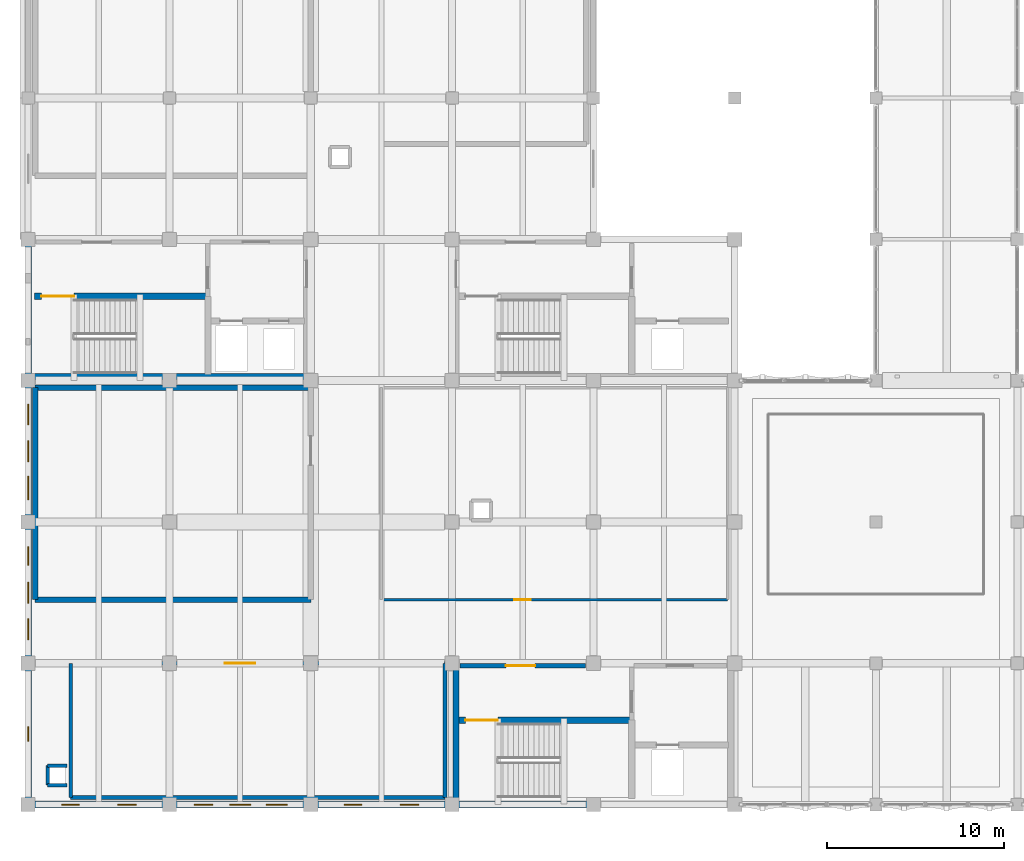
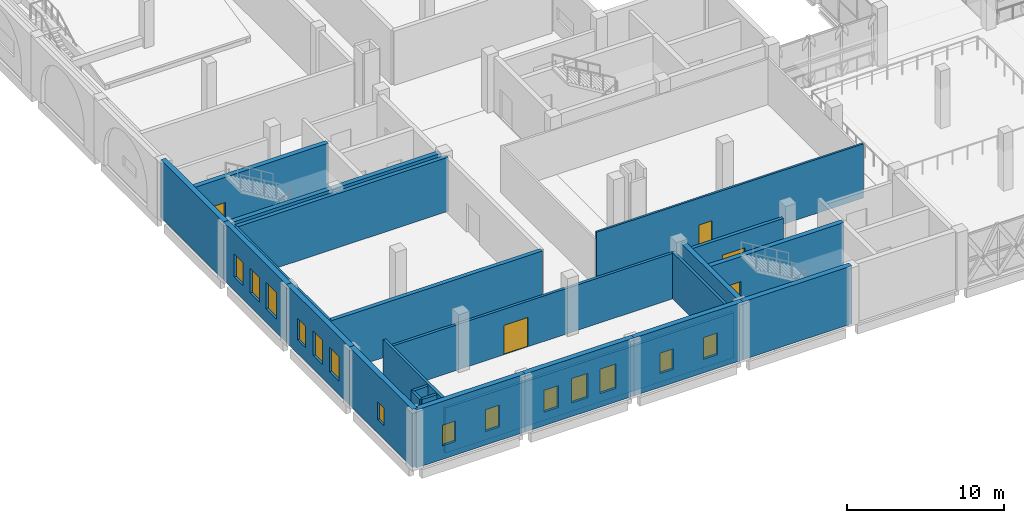
# One storey, part 25 of 45: 24 walls, 14 windows, 5 doors, 19 openings.
"""IFC4 building model written with IfcOpenShell, lengths in metres."""

from ifc_helpers import new_model, si_unit, direction, frame, frame_2d, origin, place, context, subcontext, project, spatial, rectangle, extrude, material, layer, layer_set, type_object, element, fill, save


model = new_model("IFC4")

# Units and contexts
model_context = context("Model", 3, precision=1e-05, world=origin(), true_north=direction((0.0, 1.0)))
body_context = subcontext(model_context, "Body", "Model", "MODEL_VIEW")
ifc_project = project(units=[si_unit("LENGTHUNIT", "METRE"), si_unit("AREAUNIT", "SQUARE_METRE"), si_unit("VOLUMEUNIT", "CUBIC_METRE"), si_unit("PLANEANGLEUNIT", "RADIAN"), si_unit("MASSUNIT", "GRAM", prefix="KILO")], contexts=[model_context])

# Site, building, storey
site_placement = place(None, origin())
site = spatial("IfcSite", under=ifc_project, at=site_placement, CompositionType="ELEMENT")
building_placement = place(site_placement, origin())
building = spatial("IfcBuilding", under=site, at=building_placement, Name="Qorikala Patio Media Centre", CompositionType="ELEMENT")
storey_placement = place(building_placement, frame((0.0, 0.0, 9.89990234375)))
storey = spatial("IfcBuildingStorey", under=building, at=storey_placement, Name="L02", CompositionType="ELEMENT", Elevation=9.89990234375)

# Walls
ifc_material_1 = material(Name="Concrete C35/45", Category="concrete")
ifc_layer_1 = layer(ifc_material_1, 0.300048828125)
ifc_layer_set_1 = layer_set([ifc_layer_1], Name="Concrete C35/45")
wall_type_1 = type_object("IfcWallType", Name="WL-AC-300", PredefinedType="SHEAR", material=ifc_layer_set_1)
for number, where, z_axis, x_axis, name in (
    (1, (3.39990234375, 14.60009765625, 0.0), (0.0, 0.0, 1.0), (1.0, 0.0, 0.0), "L02 Interior Wall WINT-L02-REST2-S"),
    (2, (3.39990234375, 26.60009765625, 0.0), (0.0, 0.0, 1.0), (1.0, 0.0, 0.0), "L02 Interior Wall WINT-L02-REST2-N"),
):
    element("IfcWall", number, at=place(storey_placement, frame(where, z_axis=z_axis, x_axis=x_axis)), inside=storey, type_object=wall_type_1, Name=name, PredefinedType="SHEAR", context=body_context, shape_type="SweptSolid", body=[
        extrude(rectangle(XDim=15.60009765625, YDim=0.300048828125, at=frame_2d((7.800048828125, 0.0))), origin(), (0.0, 0.0, 1.0), 4.2001953125),
    ])
wall_1_placement = place(storey_placement, frame((3.39990234375, 14.60009765625, 0.0), z_axis=(0.0, 0.0, 1.0), x_axis=(0.0, 1.0, 0.0)))
element("IfcWall", 3, at=wall_1_placement, inside=storey, type_object=wall_type_1, Name="L02 Interior Wall WINT-L02-REST2-W", PredefinedType="SHEAR", context=body_context, shape_type="SweptSolid", body=[
    extrude(rectangle(XDim=12.0, YDim=0.300048828125, at=frame_2d((6.0, 0.0))), origin(), (0.0, 0.0, 1.0), 4.2001953125),
])
ifc_layer_2 = layer(ifc_material_1, 0.35009765625)
ifc_layer_set_2 = layer_set([ifc_layer_2], Name="Concrete C35/45")
wall_type_2 = type_object("IfcWallType", Name="WL-CORE-350", PredefinedType="SHEAR", material=ifc_layer_set_2)
wall_2_placement = place(storey_placement, frame((27.22509765625, 3.199951171875, 0.0), z_axis=(0.0, 0.0, 1.0), x_axis=(0.0, 1.0, 0.0)))
element("IfcWall", 4, at=wall_2_placement, inside=storey, type_object=wall_type_2, Name="L02 Interior Wall CW-L02-C1-SW", PredefinedType="SHEAR", context=body_context, shape_type="SweptSolid", body=[
    extrude(rectangle(XDim=7.60009765625, YDim=0.35009765625, at=frame_2d((3.800048828125, 0.0))), origin(), (0.0, 0.0, 1.0), 4.2001953125),
])

# Wall, opening, door
wall_3_placement = place(storey_placement, frame((27.35009765625, 7.77490234375, 0.0), z_axis=(0.0, 0.0, 1.0), x_axis=(1.0, 0.0, 0.0)))
wall_3 = element("IfcWall", 5, at=wall_3_placement, inside=storey, type_object=wall_type_2, Name="L02 Interior Wall CW-L02-C1-SN", PredefinedType="SHEAR", context=body_context, shape_type="SweptSolid", body=[
    extrude(rectangle(XDim=9.824951171875, YDim=0.35009765625, at=frame_2d((4.91259765625, 0.0))), origin(), (0.0, 0.0, 1.0), 4.2001953125),
])
opening_1_placement = place(wall_3_placement, frame((0.39990234375, 0.0, 0.0)))
opening_1 = element("IfcOpeningElement", 6, at=opening_1_placement, cuts=wall_3, Name="Opening D035", PredefinedType="OPENING", context=body_context, shape_type="SweptSolid", body=[
    extrude(rectangle(XDim=1.85009765625, YDim=2.25, at=frame_2d((0.925048828125, 1.125))), frame((0.0, 0.18505859375, 0.0), z_axis=(0.0, -1.0, 0.0), x_axis=(1.0, 0.0, 0.0)), (0.0, 0.0, 1.0), 0.3701171875),
])
ifc_material_2 = material(Name="Powder-Coated Acoustic Fire Steel", Category="steel")
door_type_1 = type_object("IfcDoorType", Name="DR-FD60-185X225", OperationType="DOUBLE_DOOR_SINGLE_SWING", PredefinedType="DOOR", material=ifc_material_2)
door_1_placement = place(opening_1_placement, origin())
door_1 = element("IfcDoor", 7, at=door_1_placement, inside=storey, type_object=door_type_1, Name="L02 Stair ST-1 Fire Door", OperationType="DOUBLE_DOOR_SINGLE_SWING", OverallHeight=2.25, OverallWidth=1.85009765625, PredefinedType="DOOR", context=body_context, shape_type="SweptSolid", body=[
    extrude(rectangle(XDim=1.85009765625, YDim=2.25, at=frame_2d((0.925048828125, 1.125))), frame((0.0, 0.02490234375, 0.0), z_axis=(0.0, -1.0, 0.0), x_axis=(1.0, 0.0, 0.0)), (0.0, 0.0, 1.0), 0.050048828125),
])
fill(opening_1, door_1)

# Wall
wall_4_placement = place(storey_placement, frame((3.199951171875, 27.22509765625, 0.0), z_axis=(0.0, 0.0, 1.0), x_axis=(1.0, 0.0, 0.0)))
element("IfcWall", 8, at=wall_4_placement, inside=storey, type_object=wall_type_2, Name="L02 Core C2 Stair South Wall", PredefinedType="SHEAR", context=body_context, shape_type="SweptSolid", body=[
    extrude(rectangle(XDim=15.60009765625, YDim=0.35009765625, at=frame_2d((7.800048828125, 0.0))), origin(), (0.0, 0.0, 1.0), 4.2001953125),
])

# Wall, opening, door
wall_5_placement = place(storey_placement, frame((3.35009765625, 31.77490234375, 0.0), z_axis=(0.0, 0.0, 1.0), x_axis=(1.0, 0.0, 0.0)))
wall_5 = element("IfcWall", 9, at=wall_5_placement, inside=storey, type_object=wall_type_2, Name="L02 Interior Wall CW-L02-C2-SN", PredefinedType="SHEAR", context=body_context, shape_type="SweptSolid", body=[
    extrude(rectangle(XDim=9.824951171875, YDim=0.35009765625, at=frame_2d((4.91259765625, 0.0))), origin(), (0.0, 0.0, 1.0), 4.2001953125),
])
opening_2_placement = place(wall_5_placement, frame((0.39990234375, 0.0, 0.0)))
opening_2 = element("IfcOpeningElement", 10, at=opening_2_placement, cuts=wall_5, Name="Opening D070", PredefinedType="OPENING", context=body_context, shape_type="SweptSolid", body=[
    extrude(rectangle(XDim=1.85009765625, YDim=2.25, at=frame_2d((0.925048828125, 1.125))), frame((0.0, 0.18505859375, 0.0), z_axis=(0.0, -1.0, 0.0), x_axis=(1.0, 0.0, 0.0)), (0.0, 0.0, 1.0), 0.3701171875),
])
door_2_placement = place(opening_2_placement, origin())
door_2 = element("IfcDoor", 11, at=door_2_placement, inside=storey, type_object=door_type_1, Name="L02 Stair ST-2 Fire Door", OperationType="DOUBLE_DOOR_SINGLE_SWING", OverallHeight=2.25, OverallWidth=1.85009765625, PredefinedType="DOOR", context=body_context, shape_type="SweptSolid", body=[
    extrude(rectangle(XDim=1.85009765625, YDim=2.25, at=frame_2d((0.925048828125, 1.125))), frame((0.0, 0.02490234375, 0.0), z_axis=(0.0, -1.0, 0.0), x_axis=(1.0, 0.0, 0.0)), (0.0, 0.0, 1.0), 0.050048828125),
])
fill(opening_2, door_2)

ifc_layer_3 = layer(ifc_material_1, 0.25)
ifc_layer_set_3 = layer_set([ifc_layer_3], Name="Concrete C35/45")
wall_type_3 = type_object("IfcWallType", Name="WL-FFL-250", PredefinedType="PARTITIONING", material=ifc_layer_set_3)
wall_6_placement = place(storey_placement, frame((27.449951171875, 10.85009765625, 0.0), z_axis=(0.0, 0.0, 1.0), x_axis=(1.0, 0.0, 0.0)))
wall_6 = element("IfcWall", 12, at=wall_6_placement, inside=storey, type_object=wall_type_3, Name="L02 Interior Wall CW-L02-C1-CN1", PredefinedType="PARTITIONING", context=body_context, shape_type="SweptSolid", body=[
    extrude(rectangle(XDim=7.10009765625, YDim=0.25, at=frame_2d((3.550048828125, 0.0))), origin(), (0.0, 0.0, 1.0), 3.53515625),
])
opening_3_placement = place(wall_6_placement, frame((2.60009765625, 0.0, 0.0)))
opening_3 = element("IfcOpeningElement", 13, at=opening_3_placement, cuts=wall_6, Name="Opening D037", PredefinedType="OPENING", context=body_context, shape_type="SweptSolid", body=[
    extrude(rectangle(XDim=1.64990234375, YDim=2.25, at=frame_2d((0.824951171875, 1.125))), frame((0.0, 0.135009765625, 0.0), z_axis=(0.0, -1.0, 0.0), x_axis=(1.0, 0.0, 0.0)), (0.0, 0.0, 1.0), 0.27001953125),
])
door_type_2 = type_object("IfcDoorType", Name="DR-FD60-165X225", OperationType="DOUBLE_DOOR_SINGLE_SWING", PredefinedType="DOOR", material=ifc_material_2)
door_3_placement = place(opening_3_placement, frame((1.64990234375, 0.0, 0.0), z_axis=(0.0, 0.0, 1.0), x_axis=(-1.0, 0.0, 0.0)))
door_3 = element("IfcDoor", 14, at=door_3_placement, inside=storey, type_object=door_type_2, Name="L02 Core C1 Vestibule Door", OperationType="DOUBLE_DOOR_SINGLE_SWING", OverallHeight=2.25, OverallWidth=1.64990234375, PredefinedType="DOOR", context=body_context, shape_type="SweptSolid", body=[
    extrude(rectangle(XDim=1.64990234375, YDim=2.25, at=frame_2d((0.824951171875, 1.125))), frame((0.0, 0.02490234375, 0.0), z_axis=(0.0, -1.0, 0.0), x_axis=(1.0, 0.0, 0.0)), (0.0, 0.0, 1.0), 0.050048828125),
])
fill(opening_3, door_3)

ifc_material_3 = material(Name="Acoustic Gypsum Stud Partition")
ifc_layer_4 = layer(ifc_material_3, 0.14990234375)
ifc_layer_set_4 = layer_set([ifc_layer_4], Name="Acoustic Gypsum Stud Partition")
wall_type_4 = type_object("IfcWallType", Name="WL-PT-150", PredefinedType="PARTITIONING", material=ifc_layer_set_4)
wall_7_placement = place(storey_placement, frame((23.0, 14.60009765625, 0.0), z_axis=(0.0, 0.0, 1.0), x_axis=(1.0, 0.0, 0.0)))
wall_7 = element("IfcWall", 15, at=wall_7_placement, inside=storey, type_object=wall_type_4, Name="L02 Interior Wall WINT-L02-REST3-S", PredefinedType="PARTITIONING", context=body_context, shape_type="SweptSolid", body=[
    extrude(rectangle(XDim=19.60009765625, YDim=0.14990234375, at=frame_2d((9.800048828125, 0.0))), origin(), (0.0, 0.0, 1.0), 4.2001953125),
])
opening_4_placement = place(wall_7_placement, frame((7.514892578125, 0.0, 0.0)))
opening_4 = element("IfcOpeningElement", 16, at=opening_4_placement, cuts=wall_7, Name="Opening D270", PredefinedType="OPENING", context=body_context, shape_type="SweptSolid", body=[
    extrude(rectangle(XDim=0.949951171875, YDim=2.1201171875, at=frame_2d((0.47509765625, 1.06005859375))), frame((0.0, 0.0849609375, 0.0), z_axis=(0.0, -1.0, 0.0), x_axis=(1.0, 0.0, 0.0)), (0.0, 0.0, 1.0), 0.169921875),
])
ifc_material_4 = material(Name="Painted Hardwood Timber", Category="wood")
door_type_3 = type_object("IfcDoorType", Name="DR-IN-095X212", OperationType="NOTDEFINED", PredefinedType="DOOR", material=ifc_material_4)
door_4_placement = place(opening_4_placement, origin())
door_4 = element("IfcDoor", 17, at=door_4_placement, inside=storey, type_object=door_type_3, Name="Curatorial Cataloguing Suite Door 059", OperationType="SINGLE_SWING_RIGHT", OverallHeight=2.1201171875, OverallWidth=0.949951171875, PredefinedType="DOOR", context=body_context, shape_type="SweptSolid", body=[
    extrude(rectangle(XDim=0.949951171875, YDim=2.1201171875, at=frame_2d((0.47509765625, 1.06005859375))), frame((0.0, 0.02490234375, 0.0), z_axis=(0.0, -1.0, 0.0), x_axis=(1.0, 0.0, 0.0)), (0.0, 0.0, 1.0), 0.050048828125),
])
fill(opening_4, door_4)

# Walls
ifc_material_5 = material(Name="Acoustic Masonry and Plaster Concrete C30/37", Category="masonry")
ifc_layer_5 = layer(ifc_material_5, 0.199951171875)
ifc_layer_set_5 = layer_set([ifc_layer_5], Name="Acoustic Masonry and Plaster Concrete C30/37")
wall_type_5 = type_object("IfcWallType", Name="WL-ST-200", PredefinedType="PARTITIONING", material=ifc_layer_set_5)
wall_8_placement = place(storey_placement, frame((5.39990234375, 3.39990234375, 0.0), z_axis=(0.0, 0.0, 1.0), x_axis=(1.0, 0.0, 0.0)))
element("IfcWall", 18, at=wall_8_placement, inside=storey, type_object=wall_type_5, Name="L02 Interior Wall WINT-L02-REST1-S", PredefinedType="PARTITIONING", context=body_context, shape_type="SweptSolid", body=[
    extrude(rectangle(XDim=21.2001953125, YDim=0.199951171875, at=frame_2d((10.60009765625, 0.0))), origin(), (0.0, 0.0, 1.0), 3.505126953125),
])
wall_9_placement = place(storey_placement, frame((26.60009765625, 3.39990234375, 0.0), z_axis=(0.0, 0.0, 1.0), x_axis=(0.0, 1.0, 0.0)))
element("IfcWall", 19, at=wall_9_placement, inside=storey, type_object=wall_type_5, Name="L02 Interior Wall WINT-L02-REST1-E", PredefinedType="PARTITIONING", context=body_context, shape_type="SweptSolid", body=[
    extrude(rectangle(XDim=7.60009765625, YDim=0.199951171875, at=frame_2d((3.800048828125, 0.0))), origin(), (0.0, 0.0, 1.0), 3.585205078125),
])

# Wall, opening, door
wall_10_placement = place(storey_placement, frame((5.39990234375, 11.0, 0.0), z_axis=(0.0, 0.0, 1.0), x_axis=(1.0, 0.0, 0.0)))
wall_10 = element("IfcWall", 20, at=wall_10_placement, inside=storey, type_object=wall_type_5, Name="L02 Interior Wall WINT-L02-REST1-N", PredefinedType="PARTITIONING", context=body_context, shape_type="SweptSolid", body=[
    extrude(rectangle(XDim=21.2001953125, YDim=0.199951171875, at=frame_2d((10.60009765625, 0.0))), origin(), (0.0, 0.0, 1.0), 3.53515625),
])
opening_5_placement = place(wall_10_placement, frame((8.717041015625, 0.0, 0.0)))
opening_5 = element("IfcOpeningElement", 21, at=opening_5_placement, cuts=wall_10, Name="Opening D268", PredefinedType="OPENING", context=body_context, shape_type="SweptSolid", body=[
    extrude(rectangle(XDim=1.75, YDim=2.280029296875, at=frame_2d((0.875, 1.14013671875))), frame((0.0, 0.10986328125, 0.0), z_axis=(0.0, -1.0, 0.0), x_axis=(1.0, 0.0, 0.0)), (0.0, 0.0, 1.0), 0.219970703125),
])
door_type_4 = type_object("IfcDoorType", Name="DR-FD60-175X228", OperationType="DOUBLE_DOOR_SINGLE_SWING", PredefinedType="DOOR", material=ifc_material_2)
door_5_placement = place(opening_5_placement, origin())
door_5 = element("IfcDoor", 22, at=door_5_placement, inside=storey, type_object=door_type_4, Name="Film Scanning and Digital Restoration Lab Door 057", OperationType="DOUBLE_DOOR_SINGLE_SWING", OverallHeight=2.280029296875, OverallWidth=1.75, PredefinedType="DOOR", context=body_context, shape_type="SweptSolid", body=[
    extrude(rectangle(XDim=1.75, YDim=2.280029296875, at=frame_2d((0.875, 1.14013671875))), frame((0.0, 0.02490234375, 0.0), z_axis=(0.0, -1.0, 0.0), x_axis=(1.0, 0.0, 0.0)), (0.0, 0.0, 1.0), 0.050048828125),
])
fill(opening_5, door_5)

# Walls
wall_11_placement = place(storey_placement, frame((5.39990234375, 3.39990234375, 0.0), z_axis=(0.0, 0.0, 1.0), x_axis=(0.0, 1.0, 0.0)))
element("IfcWall", 23, at=wall_11_placement, inside=storey, type_object=wall_type_5, Name="L02 Interior Wall WINT-L02-REST1-W", PredefinedType="PARTITIONING", context=body_context, shape_type="SweptSolid", body=[
    extrude(rectangle(XDim=7.60009765625, YDim=0.199951171875, at=frame_2d((3.800048828125, 0.0))), origin(), (0.0, 0.0, 1.0), 4.2001953125),
])
for number, where, z_axis, x_axis, name in (
    (24, (4.10009765625, 4.10009765625, 0.0), (0.0, 0.0, 1.0), (1.0, 0.0, 0.0), "L02 Interior Wall RSW-1-L02-S"),
    (25, (4.10009765625, 5.199951171875, 0.0), (0.0, 0.0, 1.0), (1.0, 0.0, 0.0), "L02 Interior Wall RSW-1-L02-N"),
    (26, (4.10009765625, 4.10009765625, 0.0), (0.0, 0.0, 1.0), (0.0, 1.0, 0.0), "L02 Interior Wall RSW-1-L02-W"),
):
    element("IfcWall", number, at=place(storey_placement, frame(where, z_axis=z_axis, x_axis=x_axis)), inside=storey, type_object=wall_type_5, Name=name, PredefinedType="PARTITIONING", context=body_context, shape_type="SweptSolid", body=[
        extrude(rectangle(XDim=1.099853515625, YDim=0.199951171875, at=frame_2d((0.5498046875, 0.0))), origin(), (0.0, 0.0, 1.0), 4.2001953125),
    ])
ifc_material_6 = material(Name="Comanche Granite and Concrete C35/45", Category="masonry")
ifc_layer_6 = layer(ifc_material_6, 0.3798828125)
ifc_layer_set_6 = layer_set([ifc_layer_6], Name="Comanche Granite and Concrete C35/45")
wall_type_6 = type_object("IfcWallType", Name="WL-STONE-380", PredefinedType="SOLIDWALL", material=ifc_layer_set_6)
wall_12_placement = place(storey_placement, frame((35.0, 3.0, 0.0), z_axis=(0.0, 0.0, 1.0), x_axis=(-1.0, 0.0, 0.0)))
element("IfcWall", 27, at=wall_12_placement, inside=storey, type_object=wall_type_6, Name="L02 Core C1 Exterior Shear Wall", PredefinedType="SOLIDWALL", context=body_context, shape_type="SweptSolid", body=[
    extrude(rectangle(XDim=8.0, YDim=0.3798828125, at=frame_2d((4.0, 0.0))), origin(), (0.0, 0.0, 1.0), 4.5),
])

# Wall, openings, windows
wall_13_placement = place(storey_placement, frame((27.0, 3.0, 0.0), z_axis=(0.0, 0.0, 1.0), x_axis=(-1.0, 0.0, 0.0)))
wall_13 = element("IfcWall", 28, at=wall_13_placement, inside=storey, type_object=wall_type_6, Name="L02 Exterior Wall WL-L02-EXT-0026", PredefinedType="SOLIDWALL", context=body_context, shape_type="SweptSolid", body=[
    extrude(rectangle(XDim=8.0, YDim=0.3798828125, at=frame_2d((4.0, 0.0))), origin(), (0.0, 0.0, 1.0), 4.5),
])
opening_6_placement = place(wall_13_placement, frame((1.875, 0.0, 1.050048828125)))
opening_6 = element("IfcOpeningElement", 29, at=opening_6_placement, cuts=wall_13, Name="Opening WG-105", PredefinedType="OPENING", context=body_context, shape_type="SweptSolid", body=[
    extrude(rectangle(XDim=1.050048828125, YDim=1.699951171875, at=frame_2d((0.52490234375, 0.85009765625))), frame((0.0, 0.199951171875, 0.0), z_axis=(0.0, -1.0, 0.0), x_axis=(1.0, 0.0, 0.0)), (0.0, 0.0, 1.0), 0.39990234375),
])
opening_7_placement = place(wall_13_placement, frame((5.110107421875, 0.0, 1.050048828125)))
opening_7 = element("IfcOpeningElement", 30, at=opening_7_placement, cuts=wall_13, Name="Opening WG-098", PredefinedType="OPENING", context=body_context, shape_type="SweptSolid", body=[
    extrude(rectangle(XDim=0.97998046875, YDim=1.60009765625, at=frame_2d((0.489990234375, 0.800048828125))), frame((0.0, 0.199951171875, 0.0), z_axis=(0.0, -1.0, 0.0), x_axis=(1.0, 0.0, 0.0)), (0.0, 0.0, 1.0), 0.39990234375),
])
ifc_material_7 = material(Name="Bronze Anodised Aluminium and Low-E Glass", Category="aluminium")
window_type_1 = type_object("IfcWindowType", Name="WN-GRAD-098X160", PartitioningType="SINGLE_PANEL", PredefinedType="WINDOW", material=ifc_material_7)
window_1_placement = place(opening_7_placement, origin())
window_1 = element("IfcWindow", 31, at=window_1_placement, inside=storey, type_object=window_type_1, Name="L02 Graduated Stone Window 0148", OverallHeight=1.60009765625, OverallWidth=0.97998046875, PartitioningType="SINGLE_PANEL", PredefinedType="WINDOW", context=body_context, shape_type="SweptSolid", body=[
    extrude(rectangle(XDim=0.97998046875, YDim=1.60009765625, at=frame_2d((0.489990234375, 0.800048828125))), frame((0.0, 0.030029296875, 0.0), z_axis=(0.0, -1.0, 0.0), x_axis=(1.0, 0.0, 0.0)), (0.0, 0.0, 1.0), 0.06005859375),
])
fill(opening_7, window_1)
window_type_2 = type_object("IfcWindowType", Name="WN-GRAD-105X170", PartitioningType="SINGLE_PANEL", PredefinedType="WINDOW", material=ifc_material_7)
window_2_placement = place(opening_6_placement, origin())
window_2 = element("IfcWindow", 32, at=window_2_placement, inside=storey, type_object=window_type_2, Name="L02 Graduated Stone Window 0147", OverallHeight=1.699951171875, OverallWidth=1.050048828125, PartitioningType="SINGLE_PANEL", PredefinedType="WINDOW", context=body_context, shape_type="SweptSolid", body=[
    extrude(rectangle(XDim=1.050048828125, YDim=1.699951171875, at=frame_2d((0.52490234375, 0.85009765625))), frame((0.0, 0.030029296875, 0.0), z_axis=(0.0, -1.0, 0.0), x_axis=(1.0, 0.0, 0.0)), (0.0, 0.0, 1.0), 0.06005859375),
])
fill(opening_6, window_2)

wall_14_placement = place(storey_placement, frame((19.0, 3.0, 0.0), z_axis=(0.0, 0.0, 1.0), x_axis=(-1.0, 0.0, 0.0)))
wall_14 = element("IfcWall", 33, at=wall_14_placement, inside=storey, type_object=wall_type_6, Name="L02 Exterior Wall WL-L02-EXT-0027", PredefinedType="SOLIDWALL", context=body_context, shape_type="SweptSolid", body=[
    extrude(rectangle(XDim=8.0, YDim=0.3798828125, at=frame_2d((4.0, 0.0))), origin(), (0.0, 0.0, 1.0), 4.5),
])
opening_8_placement = place(wall_14_placement, frame((1.320068359375, 0.0, 1.050048828125)))
opening_8 = element("IfcOpeningElement", 34, at=opening_8_placement, cuts=wall_14, Name="Opening WG-120", PredefinedType="OPENING", context=body_context, shape_type="SweptSolid", body=[
    extrude(rectangle(XDim=1.199951171875, YDim=1.89990234375, at=frame_2d((0.60009765625, 0.949951171875))), frame((0.0, 0.199951171875, 0.0), z_axis=(0.0, -1.0, 0.0), x_axis=(1.0, 0.0, 0.0)), (0.0, 0.0, 1.0), 0.39990234375),
])
opening_9_placement = place(wall_14_placement, frame((3.39990234375, 0.0, 1.050048828125)))
opening_9 = element("IfcOpeningElement", 35, at=opening_9_placement, cuts=wall_14, Name="Opening WG-120", PredefinedType="OPENING", context=body_context, shape_type="SweptSolid", body=[
    extrude(rectangle(XDim=1.199951171875, YDim=1.89990234375, at=frame_2d((0.60009765625, 0.949951171875))), frame((0.0, 0.199951171875, 0.0), z_axis=(0.0, -1.0, 0.0), x_axis=(1.0, 0.0, 0.0)), (0.0, 0.0, 1.0), 0.39990234375),
])
opening_10_placement = place(wall_14_placement, frame((5.554931640625, 0.0, 1.050048828125)))
opening_10 = element("IfcOpeningElement", 36, at=opening_10_placement, cuts=wall_14, Name="Opening WG-105", PredefinedType="OPENING", context=body_context, shape_type="SweptSolid", body=[
    extrude(rectangle(XDim=1.050048828125, YDim=1.699951171875, at=frame_2d((0.52490234375, 0.85009765625))), frame((0.0, 0.199951171875, 0.0), z_axis=(0.0, -1.0, 0.0), x_axis=(1.0, 0.0, 0.0)), (0.0, 0.0, 1.0), 0.39990234375),
])
window_3_placement = place(opening_10_placement, origin())
window_3 = element("IfcWindow", 37, at=window_3_placement, inside=storey, type_object=window_type_2, Name="L02 Graduated Stone Window 0151", OverallHeight=1.699951171875, OverallWidth=1.050048828125, PartitioningType="SINGLE_PANEL", PredefinedType="WINDOW", context=body_context, shape_type="SweptSolid", body=[
    extrude(rectangle(XDim=1.050048828125, YDim=1.699951171875, at=frame_2d((0.52490234375, 0.85009765625))), frame((0.0, 0.030029296875, 0.0), z_axis=(0.0, -1.0, 0.0), x_axis=(1.0, 0.0, 0.0)), (0.0, 0.0, 1.0), 0.06005859375),
])
fill(opening_10, window_3)
window_type_3 = type_object("IfcWindowType", Name="WN-GRAD-120X190", PartitioningType="SINGLE_PANEL", PredefinedType="WINDOW", material=ifc_material_7)
window_4_placement = place(opening_8_placement, origin())
window_4 = element("IfcWindow", 38, at=window_4_placement, inside=storey, type_object=window_type_3, Name="L02 Graduated Stone Window 0149", OverallHeight=1.89990234375, OverallWidth=1.199951171875, PartitioningType="SINGLE_PANEL", PredefinedType="WINDOW", context=body_context, shape_type="SweptSolid", body=[
    extrude(rectangle(XDim=1.199951171875, YDim=1.89990234375, at=frame_2d((0.60009765625, 0.949951171875))), frame((0.0, 0.030029296875, 0.0), z_axis=(0.0, -1.0, 0.0), x_axis=(1.0, 0.0, 0.0)), (0.0, 0.0, 1.0), 0.06005859375),
])
fill(opening_8, window_4)
window_5_placement = place(opening_9_placement, origin())
window_5 = element("IfcWindow", 39, at=window_5_placement, inside=storey, type_object=window_type_3, Name="L02 Graduated Stone Window 0150", OverallHeight=1.89990234375, OverallWidth=1.199951171875, PartitioningType="SINGLE_PANEL", PredefinedType="WINDOW", context=body_context, shape_type="SweptSolid", body=[
    extrude(rectangle(XDim=1.199951171875, YDim=1.89990234375, at=frame_2d((0.60009765625, 0.949951171875))), frame((0.0, 0.030029296875, 0.0), z_axis=(0.0, -1.0, 0.0), x_axis=(1.0, 0.0, 0.0)), (0.0, 0.0, 1.0), 0.06005859375),
])
fill(opening_9, window_5)

wall_15_placement = place(storey_placement, frame((11.0, 3.0, 0.0), z_axis=(0.0, 0.0, 1.0), x_axis=(-1.0, 0.0, 0.0)))
wall_15 = element("IfcWall", 40, at=wall_15_placement, inside=storey, type_object=wall_type_6, Name="L02 Exterior Wall WL-L02-EXT-0028", PredefinedType="SOLIDWALL", context=body_context, shape_type="SweptSolid", body=[
    extrude(rectangle(XDim=8.0, YDim=0.3798828125, at=frame_2d((4.0, 0.0))), origin(), (0.0, 0.0, 1.0), 4.5),
])
opening_11_placement = place(wall_15_placement, frame((1.875, 0.0, 1.050048828125)))
opening_11 = element("IfcOpeningElement", 41, at=opening_11_placement, cuts=wall_15, Name="Opening WG-105", PredefinedType="OPENING", context=body_context, shape_type="SweptSolid", body=[
    extrude(rectangle(XDim=1.050048828125, YDim=1.699951171875, at=frame_2d((0.52490234375, 0.85009765625))), frame((0.0, 0.199951171875, 0.0), z_axis=(0.0, -1.0, 0.0), x_axis=(1.0, 0.0, 0.0)), (0.0, 0.0, 1.0), 0.39990234375),
])
opening_12_placement = place(wall_15_placement, frame((5.110107421875, 0.0, 1.050048828125)))
opening_12 = element("IfcOpeningElement", 42, at=opening_12_placement, cuts=wall_15, Name="Opening WG-098", PredefinedType="OPENING", context=body_context, shape_type="SweptSolid", body=[
    extrude(rectangle(XDim=0.97998046875, YDim=1.60009765625, at=frame_2d((0.489990234375, 0.800048828125))), frame((0.0, 0.199951171875, 0.0), z_axis=(0.0, -1.0, 0.0), x_axis=(1.0, 0.0, 0.0)), (0.0, 0.0, 1.0), 0.39990234375),
])
window_6_placement = place(opening_12_placement, origin())
window_6 = element("IfcWindow", 43, at=window_6_placement, inside=storey, type_object=window_type_1, Name="L02 Graduated Stone Window 0153", OverallHeight=1.60009765625, OverallWidth=0.97998046875, PartitioningType="SINGLE_PANEL", PredefinedType="WINDOW", context=body_context, shape_type="SweptSolid", body=[
    extrude(rectangle(XDim=0.97998046875, YDim=1.60009765625, at=frame_2d((0.489990234375, 0.800048828125))), frame((0.0, 0.030029296875, 0.0), z_axis=(0.0, -1.0, 0.0), x_axis=(1.0, 0.0, 0.0)), (0.0, 0.0, 1.0), 0.06005859375),
])
fill(opening_12, window_6)
window_7_placement = place(opening_11_placement, origin())
window_7 = element("IfcWindow", 44, at=window_7_placement, inside=storey, type_object=window_type_2, Name="L02 Graduated Stone Window 0152", OverallHeight=1.699951171875, OverallWidth=1.050048828125, PartitioningType="SINGLE_PANEL", PredefinedType="WINDOW", context=body_context, shape_type="SweptSolid", body=[
    extrude(rectangle(XDim=1.050048828125, YDim=1.699951171875, at=frame_2d((0.52490234375, 0.85009765625))), frame((0.0, 0.030029296875, 0.0), z_axis=(0.0, -1.0, 0.0), x_axis=(1.0, 0.0, 0.0)), (0.0, 0.0, 1.0), 0.06005859375),
])
fill(opening_11, window_7)

# Wall, opening, window
wall_16_placement = place(storey_placement, frame((3.0, 3.0, 0.0), z_axis=(0.0, 0.0, 1.0), x_axis=(0.0, 1.0, 0.0)))
wall_16 = element("IfcWall", 45, at=wall_16_placement, inside=storey, type_object=wall_type_6, Name="L02 Exterior Wall WL-L02-EXT-0029", PredefinedType="SOLIDWALL", context=body_context, shape_type="SweptSolid", body=[
    extrude(rectangle(XDim=8.0, YDim=0.3798828125, at=frame_2d((4.0, 0.0))), origin(), (0.0, 0.0, 1.0), 4.5),
])
opening_13_placement = place(wall_16_placement, frame((3.590087890625, 0.0, 1.050048828125)))
opening_13 = element("IfcOpeningElement", 46, at=opening_13_placement, cuts=wall_16, Name="Opening WG-082", PredefinedType="OPENING", context=body_context, shape_type="SweptSolid", body=[
    extrude(rectangle(XDim=0.820068359375, YDim=1.3798828125, at=frame_2d((0.41015625, 0.68994140625))), frame((0.0, 0.199951171875, 0.0), z_axis=(0.0, -1.0, 0.0), x_axis=(1.0, 0.0, 0.0)), (0.0, 0.0, 1.0), 0.39990234375),
])
window_type_4 = type_object("IfcWindowType", Name="WN-GRAD-082X138", PartitioningType="SINGLE_PANEL", PredefinedType="WINDOW", material=ifc_material_7)
window_8_placement = place(opening_13_placement, origin())
window_8 = element("IfcWindow", 47, at=window_8_placement, inside=storey, type_object=window_type_4, Name="L02 Graduated Stone Window 0154", OverallHeight=1.3798828125, OverallWidth=0.820068359375, PartitioningType="SINGLE_PANEL", PredefinedType="WINDOW", context=body_context, shape_type="SweptSolid", body=[
    extrude(rectangle(XDim=0.820068359375, YDim=1.3798828125, at=frame_2d((0.41015625, 0.68994140625))), frame((0.0, 0.030029296875, 0.0), z_axis=(0.0, -1.0, 0.0), x_axis=(1.0, 0.0, 0.0)), (0.0, 0.0, 1.0), 0.06005859375),
])
fill(opening_13, window_8)

# Wall, openings, windows
wall_17_placement = place(storey_placement, frame((3.0, 11.0, 0.0), z_axis=(0.0, 0.0, 1.0), x_axis=(0.0, 1.0, 0.0)))
wall_17 = element("IfcWall", 48, at=wall_17_placement, inside=storey, type_object=wall_type_6, Name="L02 Exterior Wall WL-L02-EXT-0030", PredefinedType="SOLIDWALL", context=body_context, shape_type="SweptSolid", body=[
    extrude(rectangle(XDim=8.0, YDim=0.3798828125, at=frame_2d((4.0, 0.0))), origin(), (0.0, 0.0, 1.0), 4.5),
])
opening_14_placement = place(wall_17_placement, frame((1.320068359375, 0.0, 1.050048828125)))
opening_14 = element("IfcOpeningElement", 49, at=opening_14_placement, cuts=wall_17, Name="Opening WG-120", PredefinedType="OPENING", context=body_context, shape_type="SweptSolid", body=[
    extrude(rectangle(XDim=1.199951171875, YDim=1.89990234375, at=frame_2d((0.60009765625, 0.949951171875))), frame((0.0, 0.199951171875, 0.0), z_axis=(0.0, -1.0, 0.0), x_axis=(1.0, 0.0, 0.0)), (0.0, 0.0, 1.0), 0.39990234375),
])
opening_15_placement = place(wall_17_placement, frame((3.39990234375, 0.0, 1.050048828125)))
opening_15 = element("IfcOpeningElement", 50, at=opening_15_placement, cuts=wall_17, Name="Opening WG-120", PredefinedType="OPENING", context=body_context, shape_type="SweptSolid", body=[
    extrude(rectangle(XDim=1.199951171875, YDim=1.89990234375, at=frame_2d((0.60009765625, 0.949951171875))), frame((0.0, 0.199951171875, 0.0), z_axis=(0.0, -1.0, 0.0), x_axis=(1.0, 0.0, 0.0)), (0.0, 0.0, 1.0), 0.39990234375),
])
opening_16_placement = place(wall_17_placement, frame((5.554931640625, 0.0, 1.050048828125)))
opening_16 = element("IfcOpeningElement", 51, at=opening_16_placement, cuts=wall_17, Name="Opening WG-105", PredefinedType="OPENING", context=body_context, shape_type="SweptSolid", body=[
    extrude(rectangle(XDim=1.050048828125, YDim=1.699951171875, at=frame_2d((0.52490234375, 0.85009765625))), frame((0.0, 0.199951171875, 0.0), z_axis=(0.0, -1.0, 0.0), x_axis=(1.0, 0.0, 0.0)), (0.0, 0.0, 1.0), 0.39990234375),
])
window_9_placement = place(opening_16_placement, origin())
window_9 = element("IfcWindow", 52, at=window_9_placement, inside=storey, type_object=window_type_2, Name="L02 Graduated Stone Window 0157", OverallHeight=1.699951171875, OverallWidth=1.050048828125, PartitioningType="SINGLE_PANEL", PredefinedType="WINDOW", context=body_context, shape_type="SweptSolid", body=[
    extrude(rectangle(XDim=1.050048828125, YDim=1.699951171875, at=frame_2d((0.52490234375, 0.85009765625))), frame((0.0, 0.030029296875, 0.0), z_axis=(0.0, -1.0, 0.0), x_axis=(1.0, 0.0, 0.0)), (0.0, 0.0, 1.0), 0.06005859375),
])
fill(opening_16, window_9)
window_10_placement = place(opening_14_placement, origin())
window_10 = element("IfcWindow", 53, at=window_10_placement, inside=storey, type_object=window_type_3, Name="L02 Graduated Stone Window 0155", OverallHeight=1.89990234375, OverallWidth=1.199951171875, PartitioningType="SINGLE_PANEL", PredefinedType="WINDOW", context=body_context, shape_type="SweptSolid", body=[
    extrude(rectangle(XDim=1.199951171875, YDim=1.89990234375, at=frame_2d((0.60009765625, 0.949951171875))), frame((0.0, 0.030029296875, 0.0), z_axis=(0.0, -1.0, 0.0), x_axis=(1.0, 0.0, 0.0)), (0.0, 0.0, 1.0), 0.06005859375),
])
fill(opening_14, window_10)
window_11_placement = place(opening_15_placement, origin())
window_11 = element("IfcWindow", 54, at=window_11_placement, inside=storey, type_object=window_type_3, Name="L02 Graduated Stone Window 0156", OverallHeight=1.89990234375, OverallWidth=1.199951171875, PartitioningType="SINGLE_PANEL", PredefinedType="WINDOW", context=body_context, shape_type="SweptSolid", body=[
    extrude(rectangle(XDim=1.199951171875, YDim=1.89990234375, at=frame_2d((0.60009765625, 0.949951171875))), frame((0.0, 0.030029296875, 0.0), z_axis=(0.0, -1.0, 0.0), x_axis=(1.0, 0.0, 0.0)), (0.0, 0.0, 1.0), 0.06005859375),
])
fill(opening_15, window_11)

wall_18_placement = place(storey_placement, frame((3.0, 19.0, 0.0), z_axis=(0.0, 0.0, 1.0), x_axis=(0.0, 1.0, 0.0)))
wall_18 = element("IfcWall", 55, at=wall_18_placement, inside=storey, type_object=wall_type_6, Name="L02 Exterior Wall WL-L02-EXT-0031", PredefinedType="SOLIDWALL", context=body_context, shape_type="SweptSolid", body=[
    extrude(rectangle(XDim=8.0, YDim=0.3798828125, at=frame_2d((4.0, 0.0))), origin(), (0.0, 0.0, 1.0), 4.5),
])
opening_17_placement = place(wall_18_placement, frame((1.260009765625, 0.0, 1.050048828125)))
opening_17 = element("IfcOpeningElement", 56, at=opening_17_placement, cuts=wall_18, Name="Opening WG-132", PredefinedType="OPENING", context=body_context, shape_type="SweptSolid", body=[
    extrude(rectangle(XDim=1.320068359375, YDim=2.050048828125, at=frame_2d((0.66015625, 1.02490234375))), frame((0.0, 0.199951171875, 0.0), z_axis=(0.0, -1.0, 0.0), x_axis=(1.0, 0.0, 0.0)), (0.0, 0.0, 1.0), 0.39990234375),
])
opening_18_placement = place(wall_18_placement, frame((3.39990234375, 0.0, 1.050048828125)))
opening_18 = element("IfcOpeningElement", 57, at=opening_18_placement, cuts=wall_18, Name="Opening WG-120", PredefinedType="OPENING", context=body_context, shape_type="SweptSolid", body=[
    extrude(rectangle(XDim=1.199951171875, YDim=1.89990234375, at=frame_2d((0.60009765625, 0.949951171875))), frame((0.0, 0.199951171875, 0.0), z_axis=(0.0, -1.0, 0.0), x_axis=(1.0, 0.0, 0.0)), (0.0, 0.0, 1.0), 0.39990234375),
])
opening_19_placement = place(wall_18_placement, frame((5.510009765625, 0.0, 1.050048828125)))
opening_19 = element("IfcOpeningElement", 58, at=opening_19_placement, cuts=wall_18, Name="Opening WG-114", PredefinedType="OPENING", context=body_context, shape_type="SweptSolid", body=[
    extrude(rectangle(XDim=1.139892578125, YDim=1.800048828125, at=frame_2d((0.56982421875, 0.89990234375))), frame((0.0, 0.199951171875, 0.0), z_axis=(0.0, -1.0, 0.0), x_axis=(1.0, 0.0, 0.0)), (0.0, 0.0, 1.0), 0.39990234375),
])
window_type_5 = type_object("IfcWindowType", Name="WN-GRAD-114X180", PartitioningType="SINGLE_PANEL", PredefinedType="WINDOW", material=ifc_material_7)
window_12_placement = place(opening_19_placement, origin())
window_12 = element("IfcWindow", 59, at=window_12_placement, inside=storey, type_object=window_type_5, Name="L02 Graduated Stone Window 0160", OverallHeight=1.800048828125, OverallWidth=1.139892578125, PartitioningType="SINGLE_PANEL", PredefinedType="WINDOW", context=body_context, shape_type="SweptSolid", body=[
    extrude(rectangle(XDim=1.139892578125, YDim=1.800048828125, at=frame_2d((0.56982421875, 0.89990234375))), frame((0.0, 0.030029296875, 0.0), z_axis=(0.0, -1.0, 0.0), x_axis=(1.0, 0.0, 0.0)), (0.0, 0.0, 1.0), 0.06005859375),
])
fill(opening_19, window_12)
window_13_placement = place(opening_18_placement, origin())
window_13 = element("IfcWindow", 60, at=window_13_placement, inside=storey, type_object=window_type_3, Name="L02 Graduated Stone Window 0159", OverallHeight=1.89990234375, OverallWidth=1.199951171875, PartitioningType="SINGLE_PANEL", PredefinedType="WINDOW", context=body_context, shape_type="SweptSolid", body=[
    extrude(rectangle(XDim=1.199951171875, YDim=1.89990234375, at=frame_2d((0.60009765625, 0.949951171875))), frame((0.0, 0.030029296875, 0.0), z_axis=(0.0, -1.0, 0.0), x_axis=(1.0, 0.0, 0.0)), (0.0, 0.0, 1.0), 0.06005859375),
])
fill(opening_18, window_13)
window_type_6 = type_object("IfcWindowType", Name="WN-GRAD-132X205", PartitioningType="SINGLE_PANEL", PredefinedType="WINDOW", material=ifc_material_7)
window_14_placement = place(opening_17_placement, origin())
window_14 = element("IfcWindow", 61, at=window_14_placement, inside=storey, type_object=window_type_6, Name="L02 Graduated Stone Window 0158", OverallHeight=2.050048828125, OverallWidth=1.320068359375, PartitioningType="SINGLE_PANEL", PredefinedType="WINDOW", context=body_context, shape_type="SweptSolid", body=[
    extrude(rectangle(XDim=1.320068359375, YDim=2.050048828125, at=frame_2d((0.66015625, 1.02490234375))), frame((0.0, 0.030029296875, 0.0), z_axis=(0.0, -1.0, 0.0), x_axis=(1.0, 0.0, 0.0)), (0.0, 0.0, 1.0), 0.06005859375),
])
fill(opening_17, window_14)

# Wall
wall_19_placement = place(storey_placement, frame((3.0, 27.0, 0.0), z_axis=(0.0, 0.0, 1.0), x_axis=(0.0, 1.0, 0.0)))
element("IfcWall", 62, at=wall_19_placement, inside=storey, type_object=wall_type_6, Name="L02 Core C2 Exterior Shear Wall", PredefinedType="SOLIDWALL", context=body_context, shape_type="SweptSolid", body=[
    extrude(rectangle(XDim=8.0, YDim=0.3798828125, at=frame_2d((4.0, 0.0))), origin(), (0.0, 0.0, 1.0), 4.5),
])

save(model, "model.ifc")
